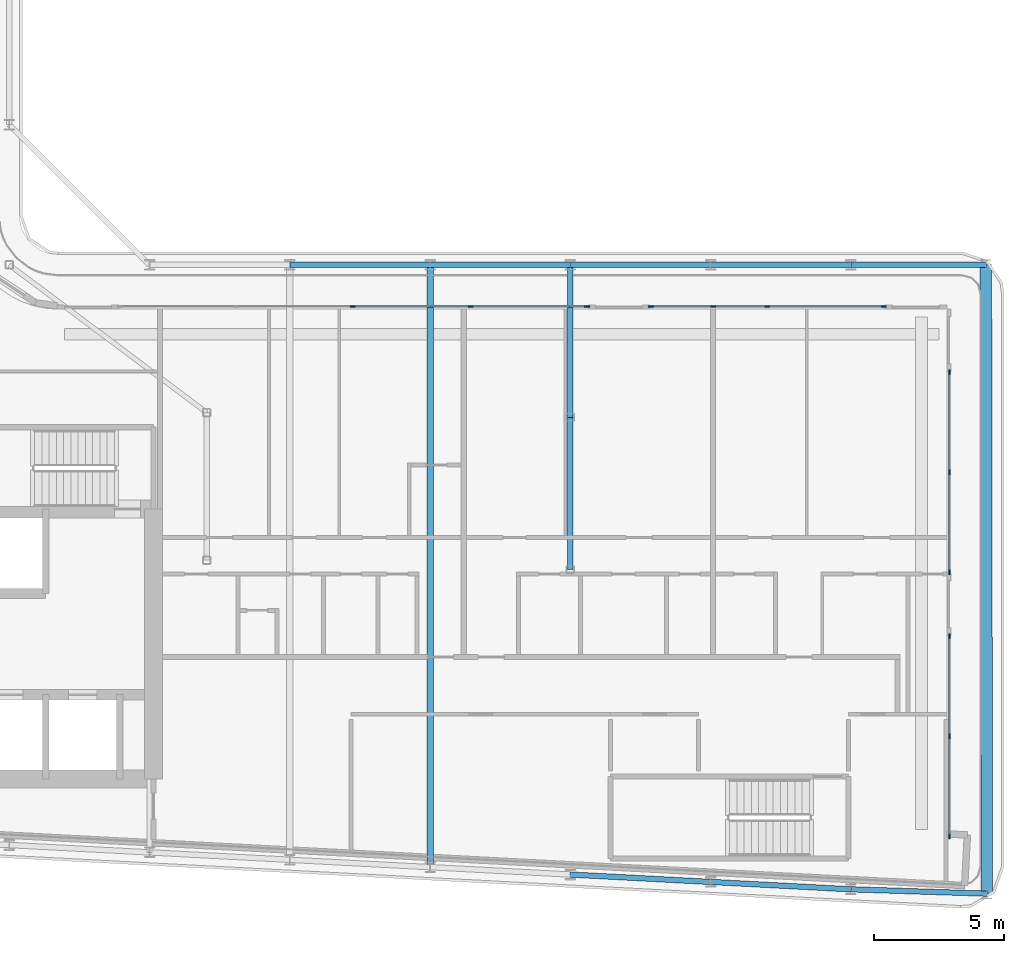
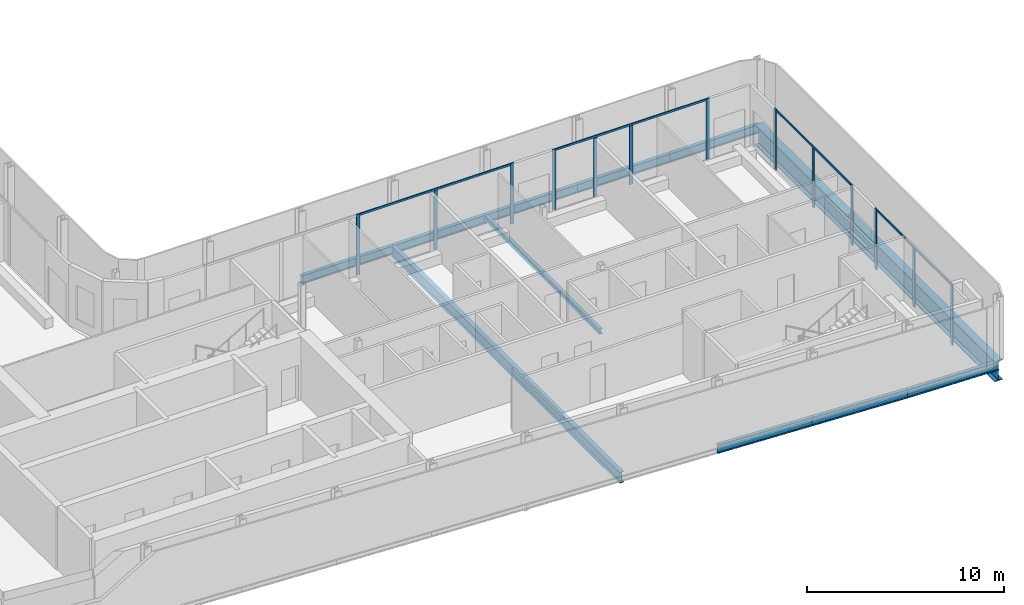
# One storey, part 5 of 22: 17 members, 12 beams, 5 elements without a shape of their own.
"""IFC4 building model written with IfcOpenShell, lengths in metres."""

from ifc_helpers import new_model, si_unit, direction, frame, origin, origin_2d, place, context, subcontext, project, spatial, rectangle, i_section, extrude, material, layer, layer_set, material_profile, profile_set, type_object, element, aggregate, save


model = new_model("IFC4")

# Units and contexts
model_context = context("Model", 3, precision=1e-05, world=origin(), true_north=direction((0.0, 1.0)))
body_context = subcontext(model_context, "Body", "Model", "MODEL_VIEW")
ifc_project = project(units=[si_unit("LENGTHUNIT", "METRE"), si_unit("AREAUNIT", "SQUARE_METRE"), si_unit("VOLUMEUNIT", "CUBIC_METRE"), si_unit("PLANEANGLEUNIT", "RADIAN"), si_unit("MASSUNIT", "GRAM", prefix="KILO")], contexts=[model_context])

# Site, building, storey
site_placement = place(None, origin())
site = spatial("IfcSite", under=ifc_project, at=site_placement, CompositionType="ELEMENT")
building_placement = place(site_placement, origin())
building = spatial("IfcBuilding", under=site, at=building_placement, Name="Kheshtan School and Residences Tower", CompositionType="ELEMENT")
storey_placement = place(building_placement, frame((0.0, 0.0, 216.199951171875)))
storey = spatial("IfcBuildingStorey", under=building, at=storey_placement, Name="L50", CompositionType="ELEMENT", Elevation=216.199951171875)

# Beams
ifc_material_1 = material(Name="Steel ASTM A992 Grade 50", Category="steel")
ifc_material_profile_1 = material_profile(ifc_material_1, i_section(OverallWidth=0.202880859375, OverallDepth=0.302978515625, WebThickness=0.007568359375, FlangeThickness=0.01318359375, FilletRadius=0.009033203125, at=origin_2d()), Name="W310x60")
ifc_profile_set_1 = profile_set([ifc_material_profile_1], Name="Steel ASTM A992 Grade 50")
beam_type_1 = type_object("IfcBeamType", Name="Beam FB1 W310x60 ASTM A992 Grade 50", PredefinedType="BEAM", material=ifc_profile_set_1)
beam_1_placement = place(storey_placement, frame((69.199951171875, 45.60009765625, -0.301513671875), z_axis=(0.0, -1.0, 0.0), x_axis=(1.0, 0.0, 0.0)))
element("IfcBeam", 1, at=beam_1_placement, inside=storey, type_object=beam_type_1, Name="Floor beam C064", PredefinedType="BEAM", context=body_context, shape_type="SweptSolid", body=[
    extrude(i_section(OverallWidth=0.202880859375, OverallDepth=0.302978515625, WebThickness=0.007568359375, FlangeThickness=0.01318359375, FilletRadius=0.009033203125, at=origin_2d()), origin(), (0.0, 0.0, 1.0), 5.8681640625),
])
beam_2_placement = place(storey_placement, frame((69.199951171875, 33.863037109375, -0.301513671875), z_axis=(0.0, 1.0, 0.0), x_axis=(-1.0, 0.0, 0.0)))
element("IfcBeam", 2, at=beam_2_placement, inside=storey, type_object=beam_type_1, Name="Floor beam IC", PredefinedType="BEAM", context=body_context, shape_type="SweptSolid", body=[
    extrude(i_section(OverallWidth=0.202880859375, OverallDepth=0.302978515625, WebThickness=0.007568359375, FlangeThickness=0.01318359375, FilletRadius=0.009033203125, at=origin_2d()), origin(), (0.0, 0.0, 1.0), 5.868896484375),
])
ifc_material_profile_2 = material_profile(ifc_material_1, i_section(OverallWidth=0.2529296875, OverallDepth=0.677978515625, WebThickness=0.01171875, FlangeThickness=0.016357421875, FilletRadius=0.0146484375, at=origin_2d()), Name="W690x125")
ifc_profile_set_2 = profile_set([ifc_material_profile_2], Name="Steel ASTM A992 Grade 50")
beam_type_2 = type_object("IfcBeamType", Name="Beam FB6 W690x125 ASTM A992 Grade 50", PredefinedType="BEAM", material=ifc_profile_set_2)
beam_3_placement = place(storey_placement, frame((63.800048828125, 22.410888671875, -0.489013671875), z_axis=(0.0, 1.0, 0.0), x_axis=(-1.0, 0.0, 0.0)))
element("IfcBeam", 3, at=beam_3_placement, inside=storey, type_object=beam_type_2, Name="Floor beam C016", PredefinedType="BEAM", context=body_context, shape_type="SweptSolid", body=[
    extrude(i_section(OverallWidth=0.2529296875, OverallDepth=0.677978515625, WebThickness=0.01171875, FlangeThickness=0.016357421875, FilletRadius=0.0146484375, at=origin_2d()), origin(), (0.0, 0.0, 1.0), 23.189208984375),
])
ifc_material_profile_3 = material_profile(ifc_material_1, i_section(OverallWidth=0.208984375, OverallDepth=0.532958984375, WebThickness=0.01025390625, FlangeThickness=0.015625, FilletRadius=0.013916015625, at=origin_2d()), Name="W530x92")
ifc_profile_set_3 = profile_set([ifc_material_profile_3], Name="Steel ASTM A992 Grade 50")
beam_type_3 = type_object("IfcBeamType", Name="Beam SP3 W530x92 ASTM A992 Grade 50", PredefinedType="BEAM", material=ifc_profile_set_3)
beam_4_placement = place(storey_placement, frame((58.39990234375, 45.60009765625, -0.41650390625), z_axis=(1.0, 0.0, 0.0), x_axis=(0.0, 1.0, 0.0)))
element("IfcBeam", 4, at=beam_4_placement, inside=storey, type_object=beam_type_3, Name="Spandrel beam C062-C063", PredefinedType="BEAM", context=body_context, shape_type="SweptSolid", body=[
    extrude(i_section(OverallWidth=0.208984375, OverallDepth=0.532958984375, WebThickness=0.01025390625, FlangeThickness=0.015625, FilletRadius=0.013916015625, at=origin_2d()), origin(), (0.0, 0.0, 1.0), 5.400146484375),
])
beam_5_placement = place(storey_placement, frame((63.800048828125, 45.60009765625, -0.41650390625), z_axis=(1.0, 0.0, 0.0), x_axis=(0.0, 1.0, 0.0)))
element("IfcBeam", 5, at=beam_5_placement, inside=storey, type_object=beam_type_3, Name="Spandrel beam C063-C064", PredefinedType="BEAM", context=body_context, shape_type="SweptSolid", body=[
    extrude(i_section(OverallWidth=0.208984375, OverallDepth=0.532958984375, WebThickness=0.01025390625, FlangeThickness=0.015625, FilletRadius=0.013916015625, at=origin_2d()), origin(), (0.0, 0.0, 1.0), 5.39990234375),
])
beam_6_placement = place(storey_placement, frame((69.199951171875, 45.60009765625, -0.41650390625), z_axis=(1.0, 0.0, 0.0), x_axis=(0.0, 1.0, 0.0)))
element("IfcBeam", 6, at=beam_6_placement, inside=storey, type_object=beam_type_3, Name="Spandrel beam C064-C065", PredefinedType="BEAM", context=body_context, shape_type="SweptSolid", body=[
    extrude(i_section(OverallWidth=0.208984375, OverallDepth=0.532958984375, WebThickness=0.01025390625, FlangeThickness=0.015625, FilletRadius=0.013916015625, at=origin_2d()), origin(), (0.0, 0.0, 1.0), 5.400146484375),
])
beam_7_placement = place(storey_placement, frame((74.60009765625, 45.60009765625, -0.41650390625), z_axis=(1.0, 0.0, 0.0), x_axis=(0.0, 1.0, 0.0)))
element("IfcBeam", 7, at=beam_7_placement, inside=storey, type_object=beam_type_3, Name="Spandrel beam C065-C066", PredefinedType="BEAM", context=body_context, shape_type="SweptSolid", body=[
    extrude(i_section(OverallWidth=0.208984375, OverallDepth=0.532958984375, WebThickness=0.01025390625, FlangeThickness=0.015625, FilletRadius=0.013916015625, at=origin_2d()), origin(), (0.0, 0.0, 1.0), 5.39990234375),
])
beam_8_placement = place(storey_placement, frame((80.0, 45.60009765625, -0.41650390625), z_axis=(0.999999135894, 0.001314614574, 0.0), x_axis=(-0.001314614574, 0.999999135894, 0.0)))
element("IfcBeam", 8, at=beam_8_placement, inside=storey, type_object=beam_type_3, Name="Spandrel beam C066-C071", PredefinedType="BEAM", context=body_context, shape_type="SweptSolid", body=[
    extrude(i_section(OverallWidth=0.208984375, OverallDepth=0.532958984375, WebThickness=0.01025390625, FlangeThickness=0.015625, FilletRadius=0.013916015625, at=origin_2d()), origin(), (0.0, 0.0, 1.0), 5.199951171875),
])
beam_9_placement = place(storey_placement, frame((85.238037109375, 21.39111328125, -0.41650390625), z_axis=(-0.999492198162, 0.031864491426, 0.0), x_axis=(-0.031864491426, -0.999492198162, 0.0)))
element("IfcBeam", 9, at=beam_9_placement, inside=storey, type_object=beam_type_3, Name="Spandrel beam C009-C012", PredefinedType="BEAM", context=body_context, shape_type="SweptSolid", body=[
    extrude(i_section(OverallWidth=0.208984375, OverallDepth=0.532958984375, WebThickness=0.01025390625, FlangeThickness=0.015625, FilletRadius=0.013916015625, at=origin_2d()), origin(), (0.0, 0.0, 1.0), 5.24072265625),
])
beam_10_placement = place(storey_placement, frame((80.0, 21.55810546875, -0.41650390625), z_axis=(-0.998610961136, 0.052689166816, 0.0), x_axis=(-0.052689166816, -0.998610961136, 0.0)))
element("IfcBeam", 10, at=beam_10_placement, inside=storey, type_object=beam_type_3, Name="Spandrel beam C012-C013", PredefinedType="BEAM", context=body_context, shape_type="SweptSolid", body=[
    extrude(i_section(OverallWidth=0.208984375, OverallDepth=0.532958984375, WebThickness=0.01025390625, FlangeThickness=0.015625, FilletRadius=0.013916015625, at=origin_2d()), origin(), (0.0, 0.0, 1.0), 5.407470703125),
])
beam_11_placement = place(storey_placement, frame((74.60009765625, 21.843017578125, -0.41650390625), z_axis=(-0.998620571751, 0.05250670125, 0.0), x_axis=(-0.05250670125, -0.998620571751, 0.0)))
element("IfcBeam", 11, at=beam_11_placement, inside=storey, type_object=beam_type_3, Name="Spandrel beam C013-C014", PredefinedType="BEAM", context=body_context, shape_type="SweptSolid", body=[
    extrude(i_section(OverallWidth=0.208984375, OverallDepth=0.532958984375, WebThickness=0.01025390625, FlangeThickness=0.015625, FilletRadius=0.013916015625, at=origin_2d()), origin(), (0.0, 0.0, 1.0), 5.40771484375),
])

# Curtain wall, member
ifc_material_2 = material(Name="Clear low-e glass in thermally broken aluminium frame", Category="aluminium")
ifc_layer = layer(ifc_material_2, 0.199951171875)
ifc_layer_set = layer_set([ifc_layer], Name="Curtain wall CW-L")
curtain_wall_type = type_object("IfcCurtainWallType", Name="Curtain wall CW-L", PredefinedType="NOTDEFINED", material=ifc_layer_set)
curtain_wall_1_placement = place(storey_placement, origin())
curtain_wall_1 = element("IfcCurtainWall", 12, at=curtain_wall_1_placement, inside=storey, type_object=curtain_wall_type, Name="Curtain wall CWL8n", PredefinedType="NOTDEFINED")
ifc_material_3 = material(Name="Thermally broken aluminium, dark bronze anodised", Category="aluminium")
ifc_material_profile_4 = material_profile(ifc_material_3, rectangle(XDim=0.06005859375, YDim=0.199951171875, at=origin_2d()), Name="CW-L mullion 60x200")
ifc_profile_set_4 = profile_set([ifc_material_profile_4], Name="Thermally broken aluminium, dark bronze anodised")
member_type_1 = type_object("IfcMemberType", Name="CW-L mullion 60x200", PredefinedType="MULLION", material=ifc_profile_set_4)
member_1_placement = place(storey_placement, frame((60.8232421875, 44.0, 0.0), z_axis=(0.0, 0.0, 1.0), x_axis=(0.0, 1.0, 0.0)))
member_1 = element("IfcMember", 13, at=member_1_placement, type_object=member_type_1, Name="CWL8n mullion 3", PredefinedType="MULLION", context=body_context, shape_type="SweptSolid", body=[
    extrude(rectangle(XDim=0.06005859375, YDim=0.199951171875, at=origin_2d()), origin(), (0.0, 0.0, 1.0), 3.75),
])
aggregate(curtain_wall_1, [member_1])

# Curtain wall, members
curtain_wall_2_placement = place(storey_placement, origin())
curtain_wall_2 = element("IfcCurtainWall", 14, at=curtain_wall_2_placement, inside=storey, type_object=curtain_wall_type, Name="Curtain wall CWL8n", PredefinedType="NOTDEFINED")
member_2_placement = place(storey_placement, frame((65.364990234375, 44.0, 0.0), z_axis=(0.0, 0.0, 1.0), x_axis=(0.0, 1.0, 0.0)))
member_2 = element("IfcMember", 15, at=member_2_placement, type_object=member_type_1, Name="CWL8n mullion 2", PredefinedType="MULLION", context=body_context, shape_type="SweptSolid", body=[
    extrude(rectangle(XDim=0.06005859375, YDim=0.199951171875, at=origin_2d()), origin(), (0.0, 0.0, 1.0), 3.630126953125),
])
member_3_placement = place(storey_placement, frame((69.8466796875, 44.0, 0.0), z_axis=(0.0, 0.0, 1.0), x_axis=(0.0, 1.0, 0.0)))
member_3 = element("IfcMember", 16, at=member_3_placement, type_object=member_type_1, Name="CWL8n mullion 3", PredefinedType="MULLION", context=body_context, shape_type="SweptSolid", body=[
    extrude(rectangle(XDim=0.06005859375, YDim=0.199951171875, at=origin_2d()), origin(), (0.0, 0.0, 1.0), 3.75),
])

curtain_wall_3_placement = place(storey_placement, origin())
curtain_wall_3 = element("IfcCurtainWall", 17, at=curtain_wall_3_placement, inside=storey, type_object=curtain_wall_type, Name="Curtain wall CWL8o", PredefinedType="NOTDEFINED")
member_4_placement = place(storey_placement, frame((72.306640625, 44.0, 0.0), z_axis=(0.0, 0.0, 1.0), x_axis=(0.0, 1.0, 0.0)))
member_4 = element("IfcMember", 18, at=member_4_placement, type_object=member_type_1, Name="CWL8o mullion 1", PredefinedType="MULLION", context=body_context, shape_type="SweptSolid", body=[
    extrude(rectangle(XDim=0.06005859375, YDim=0.199951171875, at=origin_2d()), origin(), (0.0, 0.0, 1.0), 3.75),
])
member_5_placement = place(storey_placement, frame((74.699951171875, 44.0, 0.0), z_axis=(0.0, 0.0, 1.0), x_axis=(0.0, 1.0, 0.0)))
member_5 = element("IfcMember", 19, at=member_5_placement, type_object=member_type_1, Name="CWL8o mullion 2", PredefinedType="MULLION", context=body_context, shape_type="SweptSolid", body=[
    extrude(rectangle(XDim=0.06005859375, YDim=0.199951171875, at=origin_2d()), origin(), (0.0, 0.0, 1.0), 3.630126953125),
])
member_6_placement = place(storey_placement, frame((76.788330078125, 44.0, 0.0), z_axis=(0.0, 0.0, 1.0), x_axis=(0.0, 1.0, 0.0)))
member_6 = element("IfcMember", 20, at=member_6_placement, type_object=member_type_1, Name="CWL8o mullion 3", PredefinedType="MULLION", context=body_context, shape_type="SweptSolid", body=[
    extrude(rectangle(XDim=0.06005859375, YDim=0.199951171875, at=origin_2d()), origin(), (0.0, 0.0, 1.0), 3.630126953125),
])
member_7_placement = place(storey_placement, frame((81.27001953125, 44.0, 0.0), z_axis=(0.0, 0.0, 1.0), x_axis=(0.0, 1.0, 0.0)))
member_7 = element("IfcMember", 21, at=member_7_placement, type_object=member_type_1, Name="CWL8o mullion 4", PredefinedType="MULLION", context=body_context, shape_type="SweptSolid", body=[
    extrude(rectangle(XDim=0.06005859375, YDim=0.199951171875, at=origin_2d()), origin(), (0.0, 0.0, 1.0), 3.75),
])

curtain_wall_4_placement = place(storey_placement, origin())
curtain_wall_4 = element("IfcCurtainWall", 22, at=curtain_wall_4_placement, inside=storey, type_object=curtain_wall_type, Name="Curtain wall CWL9a", PredefinedType="NOTDEFINED")
member_8_placement = place(storey_placement, frame((83.800048828125, 41.469970703125, 0.0), z_axis=(0.0, 0.0, 1.0), x_axis=(1.0, 0.0, 0.0)))
member_8 = element("IfcMember", 23, at=member_8_placement, type_object=member_type_1, Name="CWL9a mullion 1", PredefinedType="MULLION", context=body_context, shape_type="SweptSolid", body=[
    extrude(rectangle(XDim=0.06005859375, YDim=0.199951171875, at=origin_2d()), origin(), (0.0, 0.0, 1.0), 3.75),
])
member_9_placement = place(storey_placement, frame((83.800048828125, 37.61669921875, 0.0), z_axis=(0.0, 0.0, 1.0), x_axis=(1.0, 0.0, 0.0)))
member_9 = element("IfcMember", 24, at=member_9_placement, type_object=member_type_1, Name="CWL9a mullion 2", PredefinedType="MULLION", context=body_context, shape_type="SweptSolid", body=[
    extrude(rectangle(XDim=0.06005859375, YDim=0.199951171875, at=origin_2d()), origin(), (0.0, 0.0, 1.0), 3.630126953125),
])
member_10_placement = place(storey_placement, frame((83.800048828125, 33.763427734375, 0.0), z_axis=(0.0, 0.0, 1.0), x_axis=(1.0, 0.0, 0.0)))
member_10 = element("IfcMember", 25, at=member_10_placement, type_object=member_type_1, Name="CWL9a mullion 3", PredefinedType="MULLION", context=body_context, shape_type="SweptSolid", body=[
    extrude(rectangle(XDim=0.06005859375, YDim=0.199951171875, at=origin_2d()), origin(), (0.0, 0.0, 1.0), 3.75),
])

curtain_wall_5_placement = place(storey_placement, origin())
curtain_wall_5 = element("IfcCurtainWall", 26, at=curtain_wall_5_placement, inside=storey, type_object=curtain_wall_type, Name="Curtain wall CWL9a", PredefinedType="NOTDEFINED")
member_11_placement = place(storey_placement, frame((83.800048828125, 31.303466796875, 0.0), z_axis=(0.0, 0.0, 1.0), x_axis=(1.0, 0.0, 0.0)))
member_11 = element("IfcMember", 27, at=member_11_placement, type_object=member_type_1, Name="CWL9a mullion 1", PredefinedType="MULLION", context=body_context, shape_type="SweptSolid", body=[
    extrude(rectangle(XDim=0.06005859375, YDim=0.199951171875, at=origin_2d()), origin(), (0.0, 0.0, 1.0), 3.75),
])
member_12_placement = place(storey_placement, frame((83.800048828125, 27.4501953125, 0.0), z_axis=(0.0, 0.0, 1.0), x_axis=(1.0, 0.0, 0.0)))
member_12 = element("IfcMember", 28, at=member_12_placement, type_object=member_type_1, Name="CWL9a mullion 2", PredefinedType="MULLION", context=body_context, shape_type="SweptSolid", body=[
    extrude(rectangle(XDim=0.06005859375, YDim=0.199951171875, at=origin_2d()), origin(), (0.0, 0.0, 1.0), 3.630126953125),
])
member_13_placement = place(storey_placement, frame((83.800048828125, 23.596923828125, 0.0), z_axis=(0.0, 0.0, 1.0), x_axis=(1.0, 0.0, 0.0)))
member_13 = element("IfcMember", 29, at=member_13_placement, type_object=member_type_1, Name="CWL9a mullion 3", PredefinedType="MULLION", context=body_context, shape_type="SweptSolid", body=[
    extrude(rectangle(XDim=0.06005859375, YDim=0.199951171875, at=origin_2d()), origin(), (0.0, 0.0, 1.0), 3.75),
])

# Member
ifc_material_profile_5 = material_profile(ifc_material_3, rectangle(XDim=0.06005859375, YDim=0.1201171875, at=origin_2d()), Name="CW-L transom 60x120")
ifc_profile_set_5 = profile_set([ifc_material_profile_5], Name="Thermally broken aluminium, dark bronze anodised")
member_type_2 = type_object("IfcMemberType", Name="CW-L transom 60x120", PredefinedType="USERDEFINED", material=ifc_profile_set_5)
member_14_placement = place(storey_placement, frame((60.853271484375, 44.0, 3.68994140625), z_axis=(1.0, 0.0, 0.0), x_axis=(0.0, 1.0, 0.0)))
member_14 = element("IfcMember", 30, at=member_14_placement, type_object=member_type_2, Name="CWL8n transom 1", ObjectType="TRANSOM", PredefinedType="USERDEFINED", context=body_context, shape_type="SweptSolid", body=[
    extrude(rectangle(XDim=0.06005859375, YDim=0.1201171875, at=origin_2d()), origin(), (0.0, 0.0, 1.0), 8.96337890625),
])

aggregate(curtain_wall_2, [member_2, member_3, member_14])

member_15_placement = place(storey_placement, frame((72.336669921875, 44.0, 3.68994140625), z_axis=(1.0, 0.0, 0.0), x_axis=(0.0, 1.0, 0.0)))
member_15 = element("IfcMember", 31, at=member_15_placement, type_object=member_type_2, Name="CWL8o transom 1", ObjectType="TRANSOM", PredefinedType="USERDEFINED", context=body_context, shape_type="SweptSolid", body=[
    extrude(rectangle(XDim=0.06005859375, YDim=0.1201171875, at=origin_2d()), origin(), (0.0, 0.0, 1.0), 8.9033203125),
])

aggregate(curtain_wall_3, [member_4, member_5, member_6, member_7, member_15])

member_16_placement = place(storey_placement, frame((83.800048828125, 41.43994140625, 3.68994140625), z_axis=(0.0, -1.0, 0.0), x_axis=(1.0, 0.0, 0.0)))
member_16 = element("IfcMember", 32, at=member_16_placement, type_object=member_type_2, Name="CWL9a transom 1", ObjectType="TRANSOM", PredefinedType="USERDEFINED", context=body_context, shape_type="SweptSolid", body=[
    extrude(rectangle(XDim=0.06005859375, YDim=0.1201171875, at=origin_2d()), origin(), (0.0, 0.0, 1.0), 7.646484375),
])

aggregate(curtain_wall_4, [member_8, member_9, member_10, member_16])

member_17_placement = place(storey_placement, frame((83.800048828125, 31.2734375, 3.68994140625), z_axis=(0.0, -1.0, 0.0), x_axis=(1.0, 0.0, 0.0)))
member_17 = element("IfcMember", 33, at=member_17_placement, type_object=member_type_2, Name="CWL9a transom 1", ObjectType="TRANSOM", PredefinedType="USERDEFINED", context=body_context, shape_type="SweptSolid", body=[
    extrude(rectangle(XDim=0.06005859375, YDim=0.1201171875, at=origin_2d()), origin(), (0.0, 0.0, 1.0), 7.646484375),
])

aggregate(curtain_wall_5, [member_11, member_12, member_13, member_17])

# Beam
ifc_material_profile_6 = material_profile(ifc_material_1, i_section(OverallWidth=0.449951171875, OverallDepth=1.25, WebThickness=0.02490234375, FlangeThickness=0.044921875, FilletRadius=0.03759765625, at=origin_2d()), Name="WWF1250x546")
ifc_profile_set_6 = profile_set([ifc_material_profile_6], Name="Steel ASTM A992 Grade 50")
beam_type_4 = type_object("IfcBeamType", Name="Transfer girder TG4 WWF1250x546 ASTM A992 Grade 50", PredefinedType="BEAM", material=ifc_profile_set_6)
beam_12_placement = place(storey_placement, frame((85.199951171875, 45.60693359375, -0.77490234375), z_axis=(0.001572768954, -0.999998763198, 0.0), x_axis=(0.999998763198, 0.001572768954, 0.0)))
element("IfcBeam", 34, at=beam_12_placement, inside=storey, type_object=beam_type_4, Name="Transfer girder C071-C009", PredefinedType="BEAM", context=body_context, shape_type="SweptSolid", body=[
    extrude(i_section(OverallWidth=0.449951171875, OverallDepth=1.25, WebThickness=0.02490234375, FlangeThickness=0.044921875, FilletRadius=0.03759765625, at=origin_2d()), origin(), (0.0, 0.0, 1.0), 24.2158203125),
])

save(model, "model.ifc")
